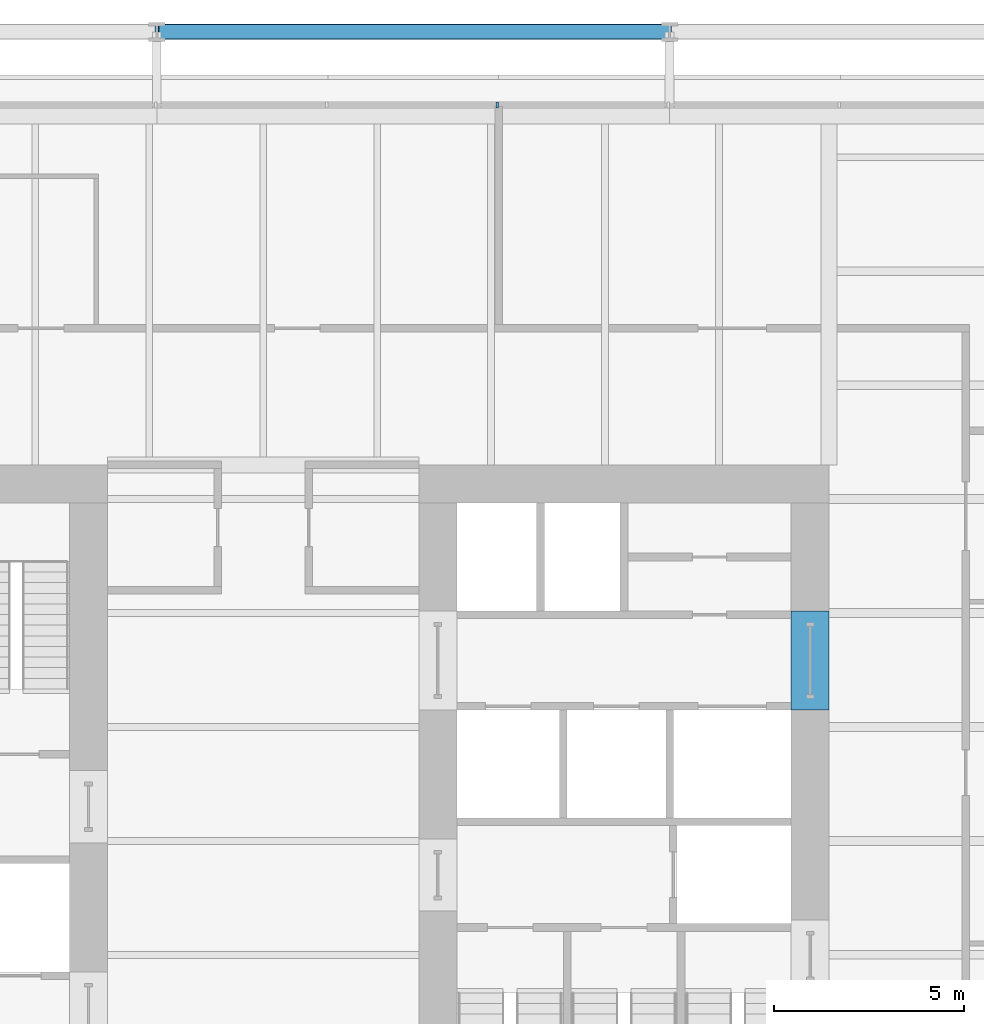
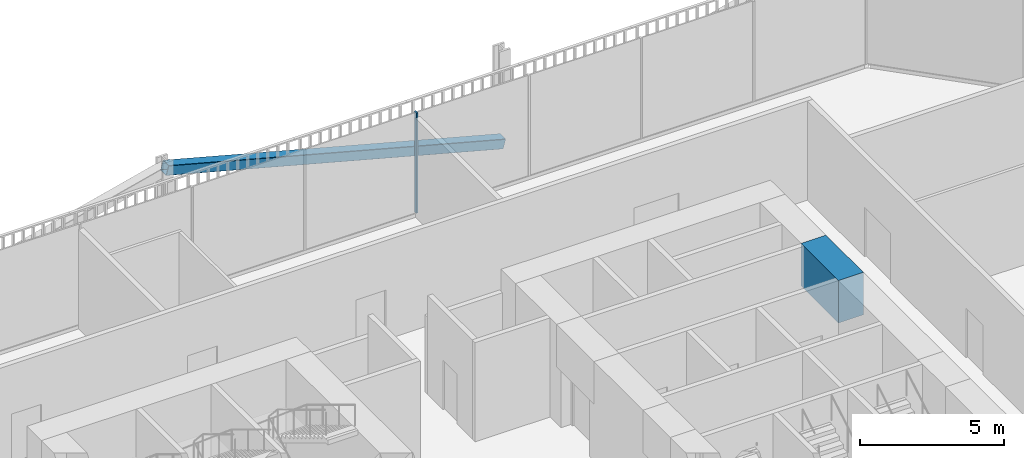
# One storey, part 14 of 21: 2 members, 1 beam, 1 element without a shape of its own.
"""IFC4 building model written with IfcOpenShell, lengths in metres."""

from ifc_helpers import new_model, si_unit, direction, frame, origin, origin_2d, place, context, subcontext, project, spatial, rectangle, hollow_rectangle, extrude, material, layer, layer_set, material_profile, profile_set, type_object, element, aggregate, save


model = new_model("IFC4")

# Units and contexts
model_context = context("Model", 3, precision=1e-05, world=origin(), true_north=direction((0.0, 1.0)))
body_context = subcontext(model_context, "Body", "Model", "MODEL_VIEW")
ifc_project = project(units=[si_unit("LENGTHUNIT", "METRE"), si_unit("AREAUNIT", "SQUARE_METRE"), si_unit("VOLUMEUNIT", "CUBIC_METRE"), si_unit("PLANEANGLEUNIT", "RADIAN"), si_unit("MASSUNIT", "GRAM", prefix="KILO")], contexts=[model_context])

# Site, building, storey
site_placement = place(None, origin())
site = spatial("IfcSite", under=ifc_project, at=site_placement, CompositionType="ELEMENT")
building_placement = place(site_placement, origin())
building = spatial("IfcBuilding", under=site, at=building_placement, Name="Millrace Tower", CompositionType="ELEMENT")
storey_placement = place(building_placement, frame((0.0, 0.0, 90.800048828125)))
storey = spatial("IfcBuildingStorey", under=building, at=storey_placement, Name="L20", CompositionType="ELEMENT", Elevation=90.800048828125)

# Curtain wall, member
ifc_material_1 = material(Name="Aluminium and glass", Category="aluminium")
ifc_layer = layer(ifc_material_1, 0.14990234375)
ifc_layer_set = layer_set([ifc_layer], Name="Aluminium and glass")
curtain_wall_type = type_object("IfcCurtainWallType", Name="CW-3 telecom floor curtain wall", PredefinedType="NOTDEFINED", material=ifc_layer_set)
curtain_wall_placement = place(storey_placement, origin())
curtain_wall = element("IfcCurtainWall", 1, at=curtain_wall_placement, inside=storey, type_object=curtain_wall_type, Name="Curtain wall B-F06 L20", PredefinedType="NOTDEFINED")
ifc_material_2 = material(Name="Aluminium", Category="aluminium")
ifc_material_profile_1 = material_profile(ifc_material_2, rectangle(XDim=0.06494140625, YDim=0.14990234375, at=origin_2d()))
ifc_profile_set_1 = profile_set([ifc_material_profile_1], Name="Aluminium")
member_type_1 = type_object("IfcMemberType", Name="CW-3 telecom floor curtain wall mullion", PredefinedType="MULLION", material=ifc_profile_set_1)
member_1_placement = place(storey_placement, frame((6.16748046875, 19.375, 0.14990234375), z_axis=(0.0, 0.0, 1.0), x_axis=(-1.0, 0.0, 0.0)))
member_1 = element("IfcMember", 2, at=member_1_placement, type_object=member_type_1, Name="CW3 mullion B-F06.5", PredefinedType="MULLION", context=body_context, shape_type="SweptSolid", body=[
    extrude(rectangle(XDim=0.06494140625, YDim=0.14990234375, at=origin_2d()), origin(), (0.0, 0.0, 1.0), 4.25),
])
aggregate(curtain_wall, [member_1])

# Beam
ifc_material_3 = material(Name="Concrete C80", Category="concrete")
ifc_material_profile_2 = material_profile(ifc_material_3, rectangle(XDim=1.0, YDim=1.800048828125, at=origin_2d()))
ifc_profile_set_2 = profile_set([ifc_material_profile_2], Name="Concrete C80")
beam_type = type_object("IfcBeamType", Name="Coupling beam 1000 x 1800 Concrete C80, 2000 opening", PredefinedType="BEAM", material=ifc_profile_set_2)
beam_placement = place(storey_placement, frame((14.39990234375, 6.050048828125, 3.300048828125), z_axis=(0.0, -1.0, 0.0), x_axis=(1.0, 0.0, 0.0)))
element("IfcBeam", 3, at=beam_placement, inside=storey, type_object=beam_type, Name="Coupling beam E L20", PredefinedType="BEAM", context=body_context, shape_type="SweptSolid", body=[
    extrude(rectangle(XDim=1.0, YDim=1.800048828125, at=origin_2d()), origin(), (0.0, 0.0, 1.0), 2.60009765625),
])

# Member
ifc_material_4 = material(Name="Steel ASTM A500 Grade C", Category="steel")
ifc_material_profile_3 = material_profile(ifc_material_4, hollow_rectangle(XDim=0.406494140625, YDim=0.406494140625, WallThickness=0.015869140625, InnerFilletRadius=0.008056640625, OuterFilletRadius=0.02392578125, at=origin_2d()))
ifc_profile_set_3 = profile_set([ifc_material_profile_3], Name="Steel ASTM A500 Grade C")
member_type_2 = type_object("IfcMemberType", Name="Exoskeleton brace HSS16x16x5/8", PredefinedType="BRACE", material=ifc_profile_set_3)
member_2_placement = place(storey_placement, frame((10.699951171875, 21.300048828125, 0.39990234375), z_axis=(-0.966233199446, 0.0, 0.257669176053), x_axis=(0.0, -1.0, 0.0)))
element("IfcMember", 4, at=member_2_placement, inside=storey, type_object=member_type_2, Name="BRC-B-L20-11", PredefinedType="BRACE", context=body_context, shape_type="SweptSolid", body=[
    extrude(hollow_rectangle(XDim=0.406494140625, YDim=0.406494140625, WallThickness=0.015869140625, InnerFilletRadius=0.008056640625, OuterFilletRadius=0.02392578125, at=origin_2d()), origin(), (0.0, 0.0, 1.0), 13.9716796875),
])

save(model, "model.ifc")
